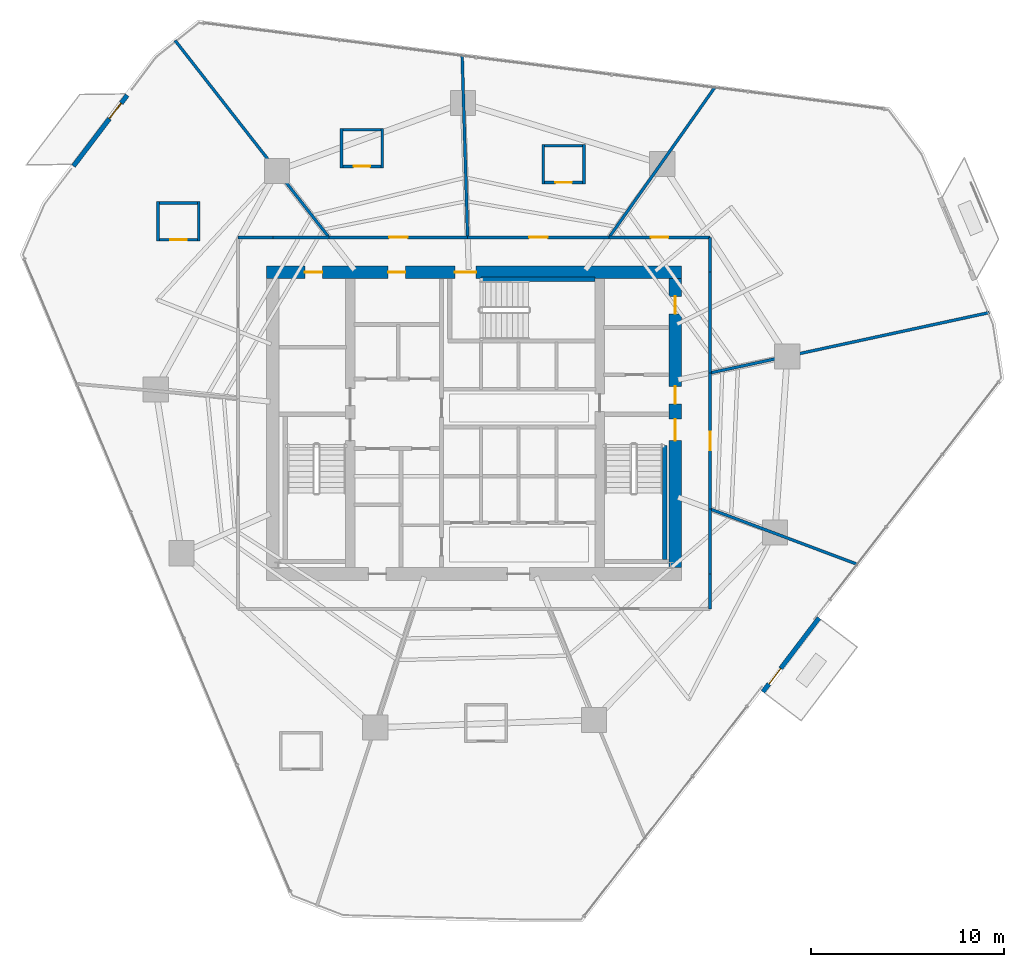
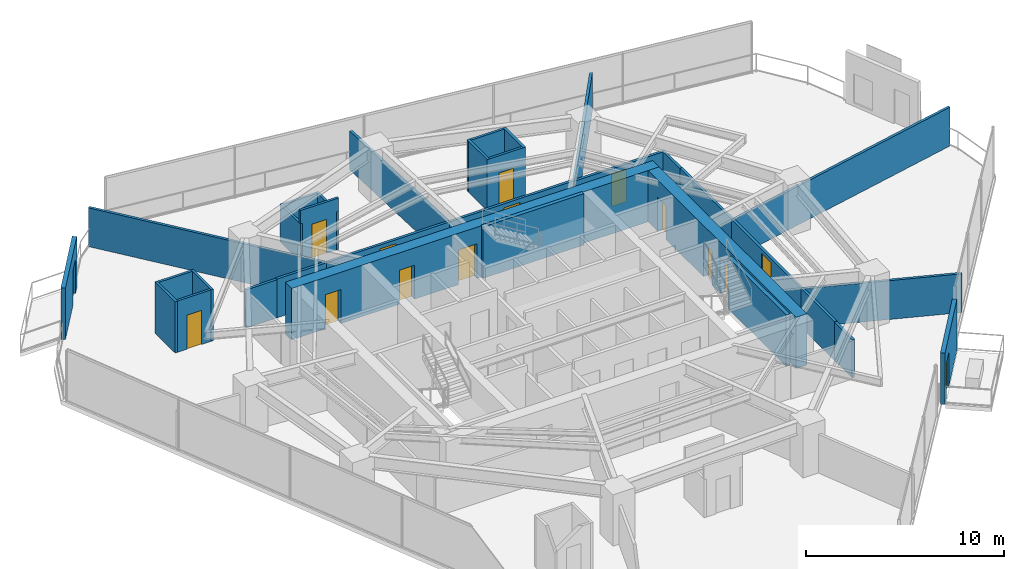
# One storey, part 27 of 30: 33 walls, 15 doors, 15 openings.
"""IFC4 building model written with IfcOpenShell, lengths in metres."""

from ifc_helpers import new_model, si_unit, direction, frame, frame_2d, origin, place, context, subcontext, project, spatial, rectangle, extrude, material, layer, layer_set, type_object, element, fill, save


model = new_model("IFC4")

# Units and contexts
model_context = context("Model", 3, precision=1e-05, world=origin(), true_north=direction((0.0, 1.0)))
body_context = subcontext(model_context, "Body", "Model", "MODEL_VIEW")
ifc_project = project(units=[si_unit("LENGTHUNIT", "METRE"), si_unit("AREAUNIT", "SQUARE_METRE"), si_unit("VOLUMEUNIT", "CUBIC_METRE"), si_unit("PLANEANGLEUNIT", "RADIAN"), si_unit("MASSUNIT", "GRAM", prefix="KILO")], contexts=[model_context])

# Site, building, storey
site_placement = place(None, origin())
site = spatial("IfcSite", under=ifc_project, at=site_placement, CompositionType="ELEMENT")
building_placement = place(site_placement, origin())
building = spatial("IfcBuilding", under=site, at=building_placement, Name="Qarnah Convention Tower", CompositionType="ELEMENT")
storey_placement = place(building_placement, frame((0.0, 0.0, 40.800048828125)))
storey = spatial("IfcBuildingStorey", under=building, at=storey_placement, Name="L09", CompositionType="ELEMENT", Elevation=40.800048828125)

# Wall, openings, doors
ifc_material_1 = material(Name="Concrete C60/75", Category="concrete")
ifc_layer_1 = layer(ifc_material_1, 0.64990234375)
ifc_layer_set_1 = layer_set([ifc_layer_1], Name="Concrete C60/75")
wall_type_1 = type_object("IfcWallType", Name="WL-CORE-650", PredefinedType="SHEAR", material=ifc_layer_set_1)
wall_1_placement = place(storey_placement, frame((26.47509765625, 34.199951171875, 0.0), z_axis=(0.0, 0.0, 1.0), x_axis=(1.0, 0.0, 0.0)))
wall_1 = element("IfcWall", 1, at=wall_1_placement, inside=storey, type_object=wall_type_1, Name="L09 core north shear wall", PredefinedType="SHEAR", context=body_context, shape_type="SweptSolid", body=[
    extrude(rectangle(XDim=21.449951171875, YDim=0.64990234375, at=frame_2d((10.72509765625, 0.0))), origin(), (0.0, 0.0, 1.0), 3.169921875),
])
opening_1_placement = place(wall_1_placement, frame((9.72509765625, 0.0, 0.0)))
opening_1 = element("IfcOpeningElement", 2, at=opening_1_placement, cuts=wall_1, Name="Opening D-0903", PredefinedType="OPENING", context=body_context, shape_type="SweptSolid", body=[
    extrude(rectangle(XDim=1.10009765625, YDim=2.14990234375, at=frame_2d((0.550048828125, 1.074951171875))), frame((0.0, 0.3349609375, 0.0), z_axis=(0.0, -1.0, 0.0), x_axis=(1.0, 0.0, 0.0)), (0.0, 0.0, 1.0), 0.669921875),
])
opening_2_placement = place(wall_1_placement, frame((1.97509765625, 0.0, 0.0)))
opening_2 = element("IfcOpeningElement", 3, at=opening_2_placement, cuts=wall_1, Name="Opening D-0909", PredefinedType="OPENING", context=body_context, shape_type="SweptSolid", body=[
    extrude(rectangle(XDim=0.89990234375, YDim=2.10009765625, at=frame_2d((0.449951171875, 1.050048828125))), frame((0.0, 0.3349609375, 0.0), z_axis=(0.0, -1.0, 0.0), x_axis=(1.0, 0.0, 0.0)), (0.0, 0.0, 1.0), 0.669921875),
])
opening_3_placement = place(wall_1_placement, frame((6.27490234375, 0.0, 0.0)))
opening_3 = element("IfcOpeningElement", 4, at=opening_3_placement, cuts=wall_1, Name="Opening D-0910", PredefinedType="OPENING", context=body_context, shape_type="SweptSolid", body=[
    extrude(rectangle(XDim=0.89990234375, YDim=2.10009765625, at=frame_2d((0.449951171875, 1.050048828125))), frame((0.0, 0.3349609375, 0.0), z_axis=(0.0, -1.0, 0.0), x_axis=(1.0, 0.0, 0.0)), (0.0, 0.0, 1.0), 0.669921875),
])
ifc_material_2 = material(Name="Structural steel S355JR", Category="steel")
door_type_1 = type_object("IfcDoorType", Name="DT-RISER-900", OperationType="NOTDEFINED", PredefinedType="DOOR", material=ifc_material_2)
door_1_placement = place(opening_2_placement, origin())
door_1 = element("IfcDoor", 5, at=door_1_placement, inside=storey, type_object=door_type_1, Name="Door D-0909", OperationType="SINGLE_SWING_LEFT", OverallHeight=2.10009765625, OverallWidth=0.89990234375, PredefinedType="DOOR", context=body_context, shape_type="SweptSolid", body=[
    extrude(rectangle(XDim=0.89990234375, YDim=2.10009765625, at=frame_2d((0.449951171875, 1.050048828125))), frame((0.0, 0.02490234375, 0.0), z_axis=(0.0, -1.0, 0.0), x_axis=(1.0, 0.0, 0.0)), (0.0, 0.0, 1.0), 0.050048828125),
])
fill(opening_2, door_1)
door_2_placement = place(opening_3_placement, origin())
door_2 = element("IfcDoor", 6, at=door_2_placement, inside=storey, type_object=door_type_1, Name="Door D-0910", OperationType="SINGLE_SWING_RIGHT", OverallHeight=2.10009765625, OverallWidth=0.89990234375, PredefinedType="DOOR", context=body_context, shape_type="SweptSolid", body=[
    extrude(rectangle(XDim=0.89990234375, YDim=2.10009765625, at=frame_2d((0.449951171875, 1.050048828125))), frame((0.0, 0.02490234375, 0.0), z_axis=(0.0, -1.0, 0.0), x_axis=(1.0, 0.0, 0.0)), (0.0, 0.0, 1.0), 0.050048828125),
])
fill(opening_3, door_2)
door_type_2 = type_object("IfcDoorType", Name="DT-STAIR-1100", OperationType="NOTDEFINED", PredefinedType="DOOR", material=ifc_material_2)
door_3_placement = place(opening_1_placement, origin())
door_3 = element("IfcDoor", 7, at=door_3_placement, inside=storey, type_object=door_type_2, Name="Door D-0903", OperationType="SINGLE_SWING_LEFT", OverallHeight=2.14990234375, OverallWidth=1.10009765625, PredefinedType="DOOR", context=body_context, shape_type="SweptSolid", body=[
    extrude(rectangle(XDim=1.10009765625, YDim=2.14990234375, at=frame_2d((0.550048828125, 1.074951171875))), frame((0.0, 0.02490234375, 0.0), z_axis=(0.0, -1.0, 0.0), x_axis=(1.0, 0.0, 0.0)), (0.0, 0.0, 1.0), 0.050048828125),
])
fill(opening_1, door_3)

wall_2_placement = place(storey_placement, frame((47.60009765625, 18.925048828125, 0.0), z_axis=(0.0, 0.0, 1.0), x_axis=(0.0, 1.0, 0.0)))
wall_2 = element("IfcWall", 8, at=wall_2_placement, inside=storey, type_object=wall_type_1, Name="L09 core east shear wall", PredefinedType="SHEAR", context=body_context, shape_type="SweptSolid", body=[
    extrude(rectangle(XDim=14.949951171875, YDim=0.64990234375, at=frame_2d((7.47509765625, 0.0))), origin(), (0.0, 0.0, 1.0), 3.169921875),
])
opening_4_placement = place(wall_2_placement, frame((6.574951171875, 0.0, 0.0)))
opening_4 = element("IfcOpeningElement", 9, at=opening_4_placement, cuts=wall_2, Name="Opening D-0902", PredefinedType="OPENING", context=body_context, shape_type="SweptSolid", body=[
    extrude(rectangle(XDim=1.10009765625, YDim=2.14990234375, at=frame_2d((0.550048828125, 1.074951171875))), frame((0.0, 0.3349609375, 0.0), z_axis=(0.0, -1.0, 0.0), x_axis=(1.0, 0.0, 0.0)), (0.0, 0.0, 1.0), 0.669921875),
])
opening_5_placement = place(wall_2_placement, frame((8.47509765625, 0.0, 0.0)))
opening_5 = element("IfcOpeningElement", 10, at=opening_5_placement, cuts=wall_2, Name="Opening D-0906", PredefinedType="OPENING", context=body_context, shape_type="SweptSolid", body=[
    extrude(rectangle(XDim=0.89990234375, YDim=2.10009765625, at=frame_2d((0.449951171875, 1.050048828125))), frame((0.0, 0.3349609375, 0.0), z_axis=(0.0, -1.0, 0.0), x_axis=(1.0, 0.0, 0.0)), (0.0, 0.0, 1.0), 0.669921875),
])
opening_6_placement = place(wall_2_placement, frame((13.125, 0.0, 0.0)))
opening_6 = element("IfcOpeningElement", 11, at=opening_6_placement, cuts=wall_2, Name="Opening D-0912", PredefinedType="OPENING", context=body_context, shape_type="SweptSolid", body=[
    extrude(rectangle(XDim=0.89990234375, YDim=2.10009765625, at=frame_2d((0.449951171875, 1.050048828125))), frame((0.0, 0.3349609375, 0.0), z_axis=(0.0, -1.0, 0.0), x_axis=(1.0, 0.0, 0.0)), (0.0, 0.0, 1.0), 0.669921875),
])
door_4_placement = place(opening_5_placement, origin())
door_4 = element("IfcDoor", 12, at=door_4_placement, inside=storey, type_object=door_type_1, Name="Door D-0906", OperationType="SINGLE_SWING_RIGHT", OverallHeight=2.10009765625, OverallWidth=0.89990234375, PredefinedType="DOOR", context=body_context, shape_type="SweptSolid", body=[
    extrude(rectangle(XDim=0.89990234375, YDim=2.10009765625, at=frame_2d((0.449951171875, 1.050048828125))), frame((0.0, 0.02490234375, 0.0), z_axis=(0.0, -1.0, 0.0), x_axis=(1.0, 0.0, 0.0)), (0.0, 0.0, 1.0), 0.050048828125),
])
fill(opening_5, door_4)
door_5_placement = place(opening_6_placement, origin())
door_5 = element("IfcDoor", 13, at=door_5_placement, inside=storey, type_object=door_type_1, Name="Door D-0912", OperationType="SINGLE_SWING_RIGHT", OverallHeight=2.10009765625, OverallWidth=0.89990234375, PredefinedType="DOOR", context=body_context, shape_type="SweptSolid", body=[
    extrude(rectangle(XDim=0.89990234375, YDim=2.10009765625, at=frame_2d((0.449951171875, 1.050048828125))), frame((0.0, 0.02490234375, 0.0), z_axis=(0.0, -1.0, 0.0), x_axis=(1.0, 0.0, 0.0)), (0.0, 0.0, 1.0), 0.050048828125),
])
fill(opening_6, door_5)
door_6_placement = place(opening_4_placement, origin())
door_6 = element("IfcDoor", 14, at=door_6_placement, inside=storey, type_object=door_type_2, Name="Door D-0902", OperationType="SINGLE_SWING_RIGHT", OverallHeight=2.14990234375, OverallWidth=1.10009765625, PredefinedType="DOOR", context=body_context, shape_type="SweptSolid", body=[
    extrude(rectangle(XDim=1.10009765625, YDim=2.14990234375, at=frame_2d((0.550048828125, 1.074951171875))), frame((0.0, 0.02490234375, 0.0), z_axis=(0.0, -1.0, 0.0), x_axis=(1.0, 0.0, 0.0)), (0.0, 0.0, 1.0), 0.050048828125),
])
fill(opening_4, door_6)

# Walls
ifc_layer_2 = layer(ifc_material_1, 0.219970703125)
ifc_layer_set_2 = layer_set([ifc_layer_2], Name="Concrete C60/75")
wall_type_2 = type_object("IfcWallType", Name="WL-CORE-STAIR-220", PredefinedType="SHEAR", material=ifc_layer_set_2)
for number, where, z_axis, x_axis, name in (
    (15, (47.06005859375, 19.35009765625, 0.0), (0.0, 0.0, 1.0), (0.0, 1.0, 0.0), "L09 stair shaft shear wall SW-L09-ST2E"),
    (16, (37.550048828125, 33.840087890625, 0.0), (0.0, 0.0, 1.0), (1.0, 0.0, 0.0), "L09 stair shaft shear wall SW-L09-ST3N"),
):
    element("IfcWall", number, at=place(storey_placement, frame(where, z_axis=z_axis, x_axis=x_axis)), inside=storey, type_object=wall_type_2, Name=name, PredefinedType="SHEAR", context=body_context, shape_type="SweptSolid", body=[
        extrude(rectangle(XDim=5.89990234375, YDim=0.219970703125, at=frame_2d((2.949951171875, 0.0))), origin(), (0.0, 0.0, 1.0), 3.169921875),
    ])

# Wall, opening, door
ifc_material_3 = material(Name="Precast concrete C45/55", Category="concrete")
ifc_layer_3 = layer(ifc_material_3, 0.239990234375)
ifc_layer_set_3 = layer_set([ifc_layer_3], Name="Precast concrete C45/55")
wall_type_3 = type_object("IfcWallType", Name="WL-EXT-BAL-240", PredefinedType="SOLIDWALL", material=ifc_layer_set_3)
wall_3_placement = place(storey_placement, frame((16.486083984375, 39.68603515625, 0.0), z_axis=(0.0, 0.0, 1.0), x_axis=(0.604575811397, 0.79654760578, 0.0)))
wall_3 = element("IfcWall", 17, at=wall_3_placement, inside=storey, type_object=wall_type_3, Name="L09 loggia threshold wall BAL-L09-C2", PredefinedType="SOLIDWALL", context=body_context, shape_type="SweptSolid", body=[
    extrude(rectangle(XDim=4.599853515625, YDim=0.239990234375, at=frame_2d((2.2998046875, 0.0))), origin(), (0.0, 0.0, 1.0), 3.169921875),
])
opening_7_placement = place(wall_3_placement, frame((3.080078125, 0.0, 0.0)))
opening_7 = element("IfcOpeningElement", 18, at=opening_7_placement, cuts=wall_3, Name="Opening BD-0902", PredefinedType="OPENING", context=body_context, shape_type="SweptSolid", body=[
    extrude(rectangle(XDim=1.0, YDim=2.14990234375, at=frame_2d((0.5, 1.074951171875))), frame((0.0, 0.1298828125, 0.0), z_axis=(0.0, -1.0, 0.0), x_axis=(1.0, 0.0, 0.0)), (0.0, 0.0, 1.0), 0.260009765625),
])
ifc_material_4 = material(Name="Black anodised aluminium", Category="aluminium")
door_type_3 = type_object("IfcDoorType", Name="DT-BAL-1000", OperationType="NOTDEFINED", PredefinedType="DOOR", material=ifc_material_4)
door_7_placement = place(opening_7_placement, origin())
door_7 = element("IfcDoor", 19, at=door_7_placement, inside=storey, type_object=door_type_3, Name="L09 balcony terrace door BAL-L09-C2", OperationType="SINGLE_SWING_RIGHT", OverallHeight=2.14990234375, OverallWidth=1.0, PredefinedType="DOOR", context=body_context, shape_type="SweptSolid", body=[
    extrude(rectangle(XDim=1.0, YDim=2.14990234375, at=frame_2d((0.5, 1.074951171875))), frame((0.0, 0.02490234375, 0.0), z_axis=(0.0, -1.0, 0.0), x_axis=(1.0, 0.0, 0.0)), (0.0, 0.0, 1.0), 0.050048828125),
])
fill(opening_7, door_7)

wall_4_placement = place(storey_placement, frame((55.033935546875, 16.326904296875, 0.0), z_axis=(0.0, 0.0, 1.0), x_axis=(-0.604733735357, -0.796427717574, 0.0)))
wall_4 = element("IfcWall", 20, at=wall_4_placement, inside=storey, type_object=wall_type_3, Name="L09 loggia threshold wall VN-L09", PredefinedType="SOLIDWALL", context=body_context, shape_type="SweptSolid", body=[
    extrude(rectangle(XDim=4.80029296875, YDim=0.239990234375, at=frame_2d((2.400146484375, 0.0))), origin(), (0.0, 0.0, 1.0), 3.169921875),
])
opening_8_placement = place(wall_4_placement, frame((3.280029296875, 0.0, 0.0)))
opening_8 = element("IfcOpeningElement", 21, at=opening_8_placement, cuts=wall_4, Name="Opening BD-0903", PredefinedType="OPENING", context=body_context, shape_type="SweptSolid", body=[
    extrude(rectangle(XDim=1.0, YDim=2.14990234375, at=frame_2d((0.5, 1.074951171875))), frame((0.0, 0.1298828125, 0.0), z_axis=(0.0, -1.0, 0.0), x_axis=(1.0, 0.0, 0.0)), (0.0, 0.0, 1.0), 0.260009765625),
])
door_8_placement = place(opening_8_placement, origin())
door_8 = element("IfcDoor", 22, at=door_8_placement, inside=storey, type_object=door_type_3, Name="L09 balcony terrace door VN-L09", OperationType="SINGLE_SWING_LEFT", OverallHeight=2.14990234375, OverallWidth=1.0, PredefinedType="DOOR", context=body_context, shape_type="SweptSolid", body=[
    extrude(rectangle(XDim=1.0, YDim=2.14990234375, at=frame_2d((0.5, 1.074951171875))), frame((0.0, 0.02490234375, 0.0), z_axis=(0.0, -1.0, 0.0), x_axis=(1.0, 0.0, 0.0)), (0.0, 0.0, 1.0), 0.050048828125),
])
fill(opening_8, door_8)

# Wall
ifc_material_5 = material(Name="Gypsum partition board")
ifc_layer_4 = layer(ifc_material_5, 0.14990234375)
ifc_layer_set_4 = layer_set([ifc_layer_4], Name="Gypsum partition board")
wall_type_4 = type_object("IfcWallType", Name="WL-SUITE-150", PredefinedType="PARTITIONING", material=ifc_layer_set_4)
wall_5_placement = place(storey_placement, frame((49.66796875, 43.7900390625, 0.0), z_axis=(0.0, 0.0, 1.0), x_axis=(-0.576267813241, -0.817260917592, 0.0)))
element("IfcWall", 23, at=wall_5_placement, inside=storey, type_object=wall_type_4, Name="L09 interior wall IW-L09-R-21", PredefinedType="PARTITIONING", context=body_context, shape_type="SweptSolid", body=[
    extrude(rectangle(XDim=9.531982421875, YDim=0.14990234375, at=frame_2d((4.76611328125, 0.0))), origin(), (0.0, 0.0, 1.0), 2.39501953125),
])

# Wall, opening, door
wall_6_placement = place(storey_placement, frame((44.175048828125, 36.0, 0.0), z_axis=(0.0, 0.0, 1.0), x_axis=(1.0, 0.0, 0.0)))
wall_6 = element("IfcWall", 24, at=wall_6_placement, inside=storey, type_object=wall_type_4, Name="L09 interior wall IW-L09-R-22", PredefinedType="PARTITIONING", context=body_context, shape_type="SweptSolid", body=[
    extrude(rectangle(XDim=5.224853515625, YDim=0.14990234375, at=frame_2d((2.6123046875, 0.0))), origin(), (0.0, 0.0, 1.0), 2.35498046875),
])
opening_9_placement = place(wall_6_placement, frame((2.1630859375, 0.0, 0.0)))
opening_9 = element("IfcOpeningElement", 25, at=opening_9_placement, cuts=wall_6, Name="Opening D-0916", PredefinedType="OPENING", context=body_context, shape_type="SweptSolid", body=[
    extrude(rectangle(XDim=0.89990234375, YDim=2.0, at=frame_2d((0.449951171875, 1.0))), frame((0.0, 0.0849609375, 0.0), z_axis=(0.0, -1.0, 0.0), x_axis=(1.0, 0.0, 0.0)), (0.0, 0.0, 1.0), 0.169921875),
])
door_type_4 = type_object("IfcDoorType", Name="DT-PLANT-900", OperationType="NOTDEFINED", PredefinedType="DOOR", material=ifc_material_2)
door_9_placement = place(opening_9_placement, origin())
door_9 = element("IfcDoor", 26, at=door_9_placement, inside=storey, type_object=door_type_4, Name="Door D-0916", OperationType="SINGLE_SWING_RIGHT", OverallHeight=2.0, OverallWidth=0.89990234375, PredefinedType="DOOR", context=body_context, shape_type="SweptSolid", body=[
    extrude(rectangle(XDim=0.89990234375, YDim=2.0, at=frame_2d((0.449951171875, 1.0))), frame((0.0, 0.02490234375, 0.0), z_axis=(0.0, -1.0, 0.0), x_axis=(1.0, 0.0, 0.0)), (0.0, 0.0, 1.0), 0.050048828125),
])
fill(opening_9, door_9)

# Walls
wall_7_placement = place(storey_placement, frame((49.39990234375, 36.0, 0.0), z_axis=(0.0, 0.0, 1.0), x_axis=(0.0, -1.0, 0.0)))
element("IfcWall", 27, at=wall_7_placement, inside=storey, type_object=wall_type_4, Name="L09 interior wall IW-L09-R-23", PredefinedType="PARTITIONING", context=body_context, shape_type="SweptSolid", body=[
    extrude(rectangle(XDim=1.800048828125, YDim=0.14990234375, at=frame_2d((0.89990234375, 0.0))), origin(), (0.0, 0.0, 1.0), 2.35498046875),
])
wall_8_placement = place(storey_placement, frame((49.39990234375, 34.199951171875, 0.0), z_axis=(0.0, 0.0, 1.0), x_axis=(0.0, -1.0, 0.0)))
element("IfcWall", 28, at=wall_8_placement, inside=storey, type_object=wall_type_4, Name="L09 interior wall IW-L09-R-24", PredefinedType="PARTITIONING", context=body_context, shape_type="SweptSolid", body=[
    extrude(rectangle(XDim=5.20703125, YDim=0.14990234375, at=frame_2d((2.603515625, 0.0))), origin(), (0.0, 0.0, 1.0), 2.39501953125),
])
wall_9_placement = place(storey_placement, frame((49.39990234375, 28.992919921875, 0.0), z_axis=(0.0, 0.0, 1.0), x_axis=(0.977402348029, 0.211387440656, 0.0)))
element("IfcWall", 29, at=wall_9_placement, inside=storey, type_object=wall_type_4, Name="L09 interior wall IW-L09-R-25", PredefinedType="PARTITIONING", context=body_context, shape_type="SweptSolid", body=[
    extrude(rectangle(XDim=14.764892578125, YDim=0.14990234375, at=frame_2d((7.38232421875, 0.0))), origin(), (0.0, 0.0, 1.0), 2.39501953125),
])
wall_10_placement = place(storey_placement, frame((36.580078125, 45.43408203125, 0.0), z_axis=(0.0, 0.0, 1.0), x_axis=(0.03018653739, -0.999544282641, 0.0)))
element("IfcWall", 30, at=wall_10_placement, inside=storey, type_object=wall_type_4, Name="L09 interior wall IW-L09-R-26", PredefinedType="PARTITIONING", context=body_context, shape_type="SweptSolid", body=[
    extrude(rectangle(XDim=9.4384765625, YDim=0.14990234375, at=frame_2d((4.71923828125, 0.0))), origin(), (0.0, 0.0, 1.0), 2.39501953125),
])

# Wall, opening, door
wall_11_placement = place(storey_placement, frame((36.864990234375, 36.0, 0.0), z_axis=(0.0, 0.0, 1.0), x_axis=(1.0, 0.0, 0.0)))
wall_11 = element("IfcWall", 31, at=wall_11_placement, inside=storey, type_object=wall_type_4, Name="L09 interior wall IW-L09-R-27", PredefinedType="PARTITIONING", context=body_context, shape_type="SweptSolid", body=[
    extrude(rectangle(XDim=7.31005859375, YDim=0.14990234375, at=frame_2d((3.655029296875, 0.0))), origin(), (0.0, 0.0, 1.0), 2.39501953125),
])
opening_10_placement = place(wall_11_placement, frame((3.179931640625, 0.0, 0.0)))
opening_10 = element("IfcOpeningElement", 32, at=opening_10_placement, cuts=wall_11, Name="Opening D-0917", PredefinedType="OPENING", context=body_context, shape_type="SweptSolid", body=[
    extrude(rectangle(XDim=0.949951171875, YDim=2.14990234375, at=frame_2d((0.47509765625, 1.074951171875))), frame((0.0, 0.0849609375, 0.0), z_axis=(0.0, -1.0, 0.0), x_axis=(1.0, 0.0, 0.0)), (0.0, 0.0, 1.0), 0.169921875),
])
ifc_material_6 = material(Name="Oak timber veneer", Category="wood")
door_type_5 = type_object("IfcDoorType", Name="DT-HOTEL-950", OperationType="NOTDEFINED", PredefinedType="DOOR", material=ifc_material_6)
door_10_placement = place(opening_10_placement, origin())
door_10 = element("IfcDoor", 33, at=door_10_placement, inside=storey, type_object=door_type_5, Name="Door D-0917", OperationType="SINGLE_SWING_LEFT", OverallHeight=2.14990234375, OverallWidth=0.949951171875, PredefinedType="DOOR", context=body_context, shape_type="SweptSolid", body=[
    extrude(rectangle(XDim=0.949951171875, YDim=2.14990234375, at=frame_2d((0.47509765625, 1.074951171875))), frame((0.0, 0.02490234375, 0.0), z_axis=(0.0, -1.0, 0.0), x_axis=(1.0, 0.0, 0.0)), (0.0, 0.0, 1.0), 0.050048828125),
])
fill(opening_10, door_10)

# Wall
wall_12_placement = place(storey_placement, frame((21.739990234375, 46.181884765625, 0.0), z_axis=(0.0, 0.0, 1.0), x_axis=(0.615901715435, -0.787822998474, 0.0)))
element("IfcWall", 34, at=wall_12_placement, inside=storey, type_object=wall_type_4, Name="L09 interior wall IW-L09-R-28", PredefinedType="PARTITIONING", context=body_context, shape_type="SweptSolid", body=[
    extrude(rectangle(XDim=12.924072265625, YDim=0.14990234375, at=frame_2d((6.4619140625, 0.0))), origin(), (0.0, 0.0, 1.0), 2.39501953125),
])

# Wall, opening, door
wall_13_placement = place(storey_placement, frame((29.699951171875, 36.0, 0.0), z_axis=(0.0, 0.0, 1.0), x_axis=(1.0, 0.0, 0.0)))
wall_13 = element("IfcWall", 35, at=wall_13_placement, inside=storey, type_object=wall_type_4, Name="L09 interior wall IW-L09-R-29", PredefinedType="PARTITIONING", context=body_context, shape_type="SweptSolid", body=[
    extrude(rectangle(XDim=7.1650390625, YDim=0.14990234375, at=frame_2d((3.58251953125, 0.0))), origin(), (0.0, 0.0, 1.0), 2.39501953125),
])
opening_11_placement = place(wall_13_placement, frame((3.10791015625, 0.0, 0.0)))
opening_11 = element("IfcOpeningElement", 36, at=opening_11_placement, cuts=wall_13, Name="Opening D-0919", PredefinedType="OPENING", context=body_context, shape_type="SweptSolid", body=[
    extrude(rectangle(XDim=0.949951171875, YDim=2.14990234375, at=frame_2d((0.47509765625, 1.074951171875))), frame((0.0, 0.0849609375, 0.0), z_axis=(0.0, -1.0, 0.0), x_axis=(1.0, 0.0, 0.0)), (0.0, 0.0, 1.0), 0.169921875),
])
door_11_placement = place(opening_11_placement, origin())
door_11 = element("IfcDoor", 37, at=door_11_placement, inside=storey, type_object=door_type_5, Name="Door D-0919", OperationType="SINGLE_SWING_LEFT", OverallHeight=2.14990234375, OverallWidth=0.949951171875, PredefinedType="DOOR", context=body_context, shape_type="SweptSolid", body=[
    extrude(rectangle(XDim=0.949951171875, YDim=2.14990234375, at=frame_2d((0.47509765625, 1.074951171875))), frame((0.0, 0.02490234375, 0.0), z_axis=(0.0, -1.0, 0.0), x_axis=(1.0, 0.0, 0.0)), (0.0, 0.0, 1.0), 0.050048828125),
])
fill(opening_11, door_11)

# Walls
wall_14_placement = place(storey_placement, frame((25.0, 36.0, 0.0), z_axis=(0.0, 0.0, 1.0), x_axis=(1.0, 0.0, 0.0)))
element("IfcWall", 38, at=wall_14_placement, inside=storey, type_object=wall_type_4, Name="L09 interior wall IW-L09-R-32", PredefinedType="PARTITIONING", context=body_context, shape_type="SweptSolid", body=[
    extrude(rectangle(XDim=1.800048828125, YDim=0.14990234375, at=frame_2d((0.89990234375, 0.0))), origin(), (0.0, 0.0, 1.0), 2.35498046875),
])
wall_15_placement = place(storey_placement, frame((26.800048828125, 36.0, 0.0), z_axis=(0.0, 0.0, 1.0), x_axis=(1.0, 0.0, 0.0)))
element("IfcWall", 39, at=wall_15_placement, inside=storey, type_object=wall_type_4, Name="L09 interior wall IW-L09-R-33", PredefinedType="PARTITIONING", context=body_context, shape_type="SweptSolid", body=[
    extrude(rectangle(XDim=2.89990234375, YDim=0.14990234375, at=frame_2d((1.449951171875, 0.0))), origin(), (0.0, 0.0, 1.0), 2.39501953125),
])
wall_16_placement = place(storey_placement, frame((57.0439453125, 19.0869140625, 0.0), z_axis=(0.0, 0.0, 1.0), x_axis=(-0.936065987827, 0.351824482426, 0.0)))
element("IfcWall", 40, at=wall_16_placement, inside=storey, type_object=wall_type_4, Name="L09 interior wall IW-L09-R-40", PredefinedType="PARTITIONING", context=body_context, shape_type="SweptSolid", body=[
    extrude(rectangle(XDim=8.166015625, YDim=0.14990234375, at=frame_2d((4.0830078125, 0.0))), origin(), (0.0, 0.0, 1.0), 2.39501953125),
])
wall_17_placement = place(storey_placement, frame((49.39990234375, 21.9599609375, 0.0), z_axis=(0.0, 0.0, 1.0), x_axis=(0.0, -1.0, 0.0)))
element("IfcWall", 41, at=wall_17_placement, inside=storey, type_object=wall_type_4, Name="L09 interior wall IW-L09-R-41", PredefinedType="PARTITIONING", context=body_context, shape_type="SweptSolid", body=[
    extrude(rectangle(XDim=3.35986328125, YDim=0.14990234375, at=frame_2d((1.679931640625, 0.0))), origin(), (0.0, 0.0, 1.0), 2.39501953125),
])
wall_18_placement = place(storey_placement, frame((49.39990234375, 18.60009765625, 0.0), z_axis=(0.0, 0.0, 1.0), x_axis=(0.0, -1.0, 0.0)))
element("IfcWall", 42, at=wall_18_placement, inside=storey, type_object=wall_type_4, Name="L09 interior wall IW-L09-R-42", PredefinedType="PARTITIONING", context=body_context, shape_type="SweptSolid", body=[
    extrude(rectangle(XDim=1.800048828125, YDim=0.14990234375, at=frame_2d((0.89990234375, 0.0))), origin(), (0.0, 0.0, 1.0), 2.35498046875),
])

# Wall, opening, door
wall_19_placement = place(storey_placement, frame((49.39990234375, 28.992919921875, 0.0), z_axis=(0.0, 0.0, 1.0), x_axis=(0.0, -1.0, 0.0)))
wall_19 = element("IfcWall", 43, at=wall_19_placement, inside=storey, type_object=wall_type_4, Name="L09 interior wall IW-L09-R-44", PredefinedType="PARTITIONING", context=body_context, shape_type="SweptSolid", body=[
    extrude(rectangle(XDim=7.032958984375, YDim=0.14990234375, at=frame_2d((3.5166015625, 0.0))), origin(), (0.0, 0.0, 1.0), 2.39501953125),
])
opening_12_placement = place(wall_19_placement, frame((3.041015625, 0.0, 0.0)))
opening_12 = element("IfcOpeningElement", 44, at=opening_12_placement, cuts=wall_19, Name="Opening D-0928", PredefinedType="OPENING", context=body_context, shape_type="SweptSolid", body=[
    extrude(rectangle(XDim=0.949951171875, YDim=2.14990234375, at=frame_2d((0.47509765625, 1.074951171875))), frame((0.0, 0.0849609375, 0.0), z_axis=(0.0, -1.0, 0.0), x_axis=(1.0, 0.0, 0.0)), (0.0, 0.0, 1.0), 0.169921875),
])
door_12_placement = place(opening_12_placement, origin())
door_12 = element("IfcDoor", 45, at=door_12_placement, inside=storey, type_object=door_type_5, Name="Door D-0928", OperationType="SINGLE_SWING_RIGHT", OverallHeight=2.14990234375, OverallWidth=0.949951171875, PredefinedType="DOOR", context=body_context, shape_type="SweptSolid", body=[
    extrude(rectangle(XDim=0.949951171875, YDim=2.14990234375, at=frame_2d((0.47509765625, 1.074951171875))), frame((0.0, 0.02490234375, 0.0), z_axis=(0.0, -1.0, 0.0), x_axis=(1.0, 0.0, 0.0)), (0.0, 0.0, 1.0), 0.050048828125),
])
fill(opening_12, door_12)

ifc_layer_5 = layer(ifc_material_5, 0.139892578125)
ifc_layer_set_5 = layer_set([ifc_layer_5], Name="Gypsum partition board")
wall_type_5 = type_object("IfcWallType", Name="WL-WET-140", PredefinedType="PARTITIONING", material=ifc_layer_set_5)
wall_20_placement = place(storey_placement, frame((40.7099609375, 38.837890625, 0.0), z_axis=(0.0, 0.0, 1.0), x_axis=(1.0, 0.0, 0.0)))
wall_20 = element("IfcWall", 46, at=wall_20_placement, inside=storey, type_object=wall_type_5, Name="L09 interior wall IW-L09-ENS01-1", PredefinedType="PARTITIONING", context=body_context, shape_type="SweptSolid", body=[
    extrude(rectangle(XDim=2.239990234375, YDim=0.139892578125, at=frame_2d((1.1201171875, 0.0))), origin(), (0.0, 0.0, 1.0), 3.169921875),
])
opening_13_placement = place(wall_20_placement, frame((0.695068359375, 0.0, 0.0)))
opening_13 = element("IfcOpeningElement", 47, at=opening_13_placement, cuts=wall_20, Name="Opening D-0918", PredefinedType="OPENING", context=body_context, shape_type="SweptSolid", body=[
    extrude(rectangle(XDim=0.85009765625, YDim=2.10009765625, at=frame_2d((0.425048828125, 1.050048828125))), frame((0.0, 0.079833984375, 0.0), z_axis=(0.0, -1.0, 0.0), x_axis=(1.0, 0.0, 0.0)), (0.0, 0.0, 1.0), 0.159912109375),
])
door_type_6 = type_object("IfcDoorType", Name="DT-BATH-850", OperationType="NOTDEFINED", PredefinedType="DOOR", material=ifc_material_6)
door_13_placement = place(opening_13_placement, origin())
door_13 = element("IfcDoor", 48, at=door_13_placement, inside=storey, type_object=door_type_6, Name="Door D-0918", OperationType="SINGLE_SWING_RIGHT", OverallHeight=2.10009765625, OverallWidth=0.85009765625, PredefinedType="DOOR", context=body_context, shape_type="SweptSolid", body=[
    extrude(rectangle(XDim=0.85009765625, YDim=2.10009765625, at=frame_2d((0.425048828125, 1.050048828125))), frame((0.0, 0.02490234375, 0.0), z_axis=(0.0, -1.0, 0.0), x_axis=(1.0, 0.0, 0.0)), (0.0, 0.0, 1.0), 0.050048828125),
])
fill(opening_13, door_13)

# Walls
wall_21_placement = place(storey_placement, frame((42.8798828125, 38.76806640625, 0.0), z_axis=(0.0, 0.0, 1.0), x_axis=(0.0, 1.0, 0.0)))
element("IfcWall", 49, at=wall_21_placement, inside=storey, type_object=wall_type_5, Name="L09 interior wall IW-L09-ENS01-2", PredefinedType="PARTITIONING", context=body_context, shape_type="SweptSolid", body=[
    extrude(rectangle(XDim=2.0400390625, YDim=0.139892578125, at=frame_2d((1.02001953125, 0.0))), origin(), (0.0, 0.0, 1.0), 3.169921875),
])
wall_22_placement = place(storey_placement, frame((42.949951171875, 40.738037109375, 0.0), z_axis=(0.0, 0.0, 1.0), x_axis=(-1.0, 0.0, 0.0)))
element("IfcWall", 50, at=wall_22_placement, inside=storey, type_object=wall_type_5, Name="L09 interior wall IW-L09-ENS01-3", PredefinedType="PARTITIONING", context=body_context, shape_type="SweptSolid", body=[
    extrude(rectangle(XDim=2.239990234375, YDim=0.139892578125, at=frame_2d((1.1201171875, 0.0))), origin(), (0.0, 0.0, 1.0), 3.169921875),
])
wall_23_placement = place(storey_placement, frame((40.780029296875, 40.80810546875, 0.0), z_axis=(0.0, 0.0, 1.0), x_axis=(0.0, -1.0, 0.0)))
element("IfcWall", 51, at=wall_23_placement, inside=storey, type_object=wall_type_5, Name="L09 interior wall IW-L09-ENS01-4", PredefinedType="PARTITIONING", context=body_context, shape_type="SweptSolid", body=[
    extrude(rectangle(XDim=2.0400390625, YDim=0.139892578125, at=frame_2d((1.02001953125, 0.0))), origin(), (0.0, 0.0, 1.0), 3.169921875),
])

# Wall, opening, door
wall_24_placement = place(storey_placement, frame((30.277099609375, 39.66796875, 0.0), z_axis=(0.0, 0.0, 1.0), x_axis=(1.0, 0.0, 0.0)))
wall_24 = element("IfcWall", 52, at=wall_24_placement, inside=storey, type_object=wall_type_5, Name="L09 interior wall IW-L09-ENS02-1", PredefinedType="PARTITIONING", context=body_context, shape_type="SweptSolid", body=[
    extrude(rectangle(XDim=2.239990234375, YDim=0.139892578125, at=frame_2d((1.1201171875, 0.0))), origin(), (0.0, 0.0, 1.0), 3.169921875),
])
opening_14_placement = place(wall_24_placement, frame((0.695068359375, 0.0, 0.0)))
opening_14 = element("IfcOpeningElement", 53, at=opening_14_placement, cuts=wall_24, Name="Opening D-0920", PredefinedType="OPENING", context=body_context, shape_type="SweptSolid", body=[
    extrude(rectangle(XDim=0.85009765625, YDim=2.10009765625, at=frame_2d((0.425048828125, 1.050048828125))), frame((0.0, 0.079833984375, 0.0), z_axis=(0.0, -1.0, 0.0), x_axis=(1.0, 0.0, 0.0)), (0.0, 0.0, 1.0), 0.159912109375),
])
door_14_placement = place(opening_14_placement, origin())
door_14 = element("IfcDoor", 54, at=door_14_placement, inside=storey, type_object=door_type_6, Name="Door D-0920", OperationType="SINGLE_SWING_RIGHT", OverallHeight=2.10009765625, OverallWidth=0.85009765625, PredefinedType="DOOR", context=body_context, shape_type="SweptSolid", body=[
    extrude(rectangle(XDim=0.85009765625, YDim=2.10009765625, at=frame_2d((0.425048828125, 1.050048828125))), frame((0.0, 0.02490234375, 0.0), z_axis=(0.0, -1.0, 0.0), x_axis=(1.0, 0.0, 0.0)), (0.0, 0.0, 1.0), 0.050048828125),
])
fill(opening_14, door_14)

# Walls
wall_25_placement = place(storey_placement, frame((32.447021484375, 39.597900390625, 0.0), z_axis=(0.0, 0.0, 1.0), x_axis=(0.0, 1.0, 0.0)))
element("IfcWall", 55, at=wall_25_placement, inside=storey, type_object=wall_type_5, Name="L09 interior wall IW-L09-ENS02-2", PredefinedType="PARTITIONING", context=body_context, shape_type="SweptSolid", body=[
    extrude(rectangle(XDim=2.0400390625, YDim=0.139892578125, at=frame_2d((1.02001953125, 0.0))), origin(), (0.0, 0.0, 1.0), 2.35498046875),
])
wall_26_placement = place(storey_placement, frame((32.51708984375, 41.568115234375, 0.0), z_axis=(0.0, 0.0, 1.0), x_axis=(-1.0, 0.0, 0.0)))
element("IfcWall", 56, at=wall_26_placement, inside=storey, type_object=wall_type_5, Name="L09 interior wall IW-L09-ENS02-3", PredefinedType="PARTITIONING", context=body_context, shape_type="SweptSolid", body=[
    extrude(rectangle(XDim=2.239990234375, YDim=0.139892578125, at=frame_2d((1.1201171875, 0.0))), origin(), (0.0, 0.0, 1.0), 2.35498046875),
])
wall_27_placement = place(storey_placement, frame((30.346923828125, 41.637939453125, 0.0), z_axis=(0.0, 0.0, 1.0), x_axis=(0.0, -1.0, 0.0)))
element("IfcWall", 57, at=wall_27_placement, inside=storey, type_object=wall_type_5, Name="L09 interior wall IW-L09-ENS02-4", PredefinedType="PARTITIONING", context=body_context, shape_type="SweptSolid", body=[
    extrude(rectangle(XDim=2.0400390625, YDim=0.139892578125, at=frame_2d((1.02001953125, 0.0))), origin(), (0.0, 0.0, 1.0), 2.35498046875),
])

# Wall, opening, door
wall_28_placement = place(storey_placement, frame((20.7880859375, 35.8740234375, 0.0), z_axis=(0.0, 0.0, 1.0), x_axis=(1.0, 0.0, 0.0)))
wall_28 = element("IfcWall", 58, at=wall_28_placement, inside=storey, type_object=wall_type_5, Name="L09 interior wall IW-L09-ENS03-1", PredefinedType="PARTITIONING", context=body_context, shape_type="SweptSolid", body=[
    extrude(rectangle(XDim=2.239990234375, YDim=0.139892578125, at=frame_2d((1.1201171875, 0.0))), origin(), (0.0, 0.0, 1.0), 3.169921875),
])
opening_15_placement = place(wall_28_placement, frame((0.695068359375, 0.0, 0.0)))
opening_15 = element("IfcOpeningElement", 59, at=opening_15_placement, cuts=wall_28, Name="Opening D-0922", PredefinedType="OPENING", context=body_context, shape_type="SweptSolid", body=[
    extrude(rectangle(XDim=0.85009765625, YDim=2.10009765625, at=frame_2d((0.425048828125, 1.050048828125))), frame((0.0, 0.079833984375, 0.0), z_axis=(0.0, -1.0, 0.0), x_axis=(1.0, 0.0, 0.0)), (0.0, 0.0, 1.0), 0.159912109375),
])
door_15_placement = place(opening_15_placement, origin())
door_15 = element("IfcDoor", 60, at=door_15_placement, inside=storey, type_object=door_type_6, Name="Door D-0922", OperationType="SINGLE_SWING_RIGHT", OverallHeight=2.10009765625, OverallWidth=0.85009765625, PredefinedType="DOOR", context=body_context, shape_type="SweptSolid", body=[
    extrude(rectangle(XDim=0.85009765625, YDim=2.10009765625, at=frame_2d((0.425048828125, 1.050048828125))), frame((0.0, 0.02490234375, 0.0), z_axis=(0.0, -1.0, 0.0), x_axis=(1.0, 0.0, 0.0)), (0.0, 0.0, 1.0), 0.050048828125),
])
fill(opening_15, door_15)

# Walls
wall_29_placement = place(storey_placement, frame((22.9580078125, 35.803955078125, 0.0), z_axis=(0.0, 0.0, 1.0), x_axis=(0.0, 1.0, 0.0)))
element("IfcWall", 61, at=wall_29_placement, inside=storey, type_object=wall_type_5, Name="L09 interior wall IW-L09-ENS03-2", PredefinedType="PARTITIONING", context=body_context, shape_type="SweptSolid", body=[
    extrude(rectangle(XDim=2.0400390625, YDim=0.139892578125, at=frame_2d((1.02001953125, 0.0))), origin(), (0.0, 0.0, 1.0), 3.169921875),
])
wall_30_placement = place(storey_placement, frame((23.028076171875, 37.77392578125, 0.0), z_axis=(0.0, 0.0, 1.0), x_axis=(-1.0, 0.0, 0.0)))
element("IfcWall", 62, at=wall_30_placement, inside=storey, type_object=wall_type_5, Name="L09 interior wall IW-L09-ENS03-3", PredefinedType="PARTITIONING", context=body_context, shape_type="SweptSolid", body=[
    extrude(rectangle(XDim=2.239990234375, YDim=0.139892578125, at=frame_2d((1.1201171875, 0.0))), origin(), (0.0, 0.0, 1.0), 3.169921875),
])
wall_31_placement = place(storey_placement, frame((20.85791015625, 37.843994140625, 0.0), z_axis=(0.0, 0.0, 1.0), x_axis=(0.0, -1.0, 0.0)))
element("IfcWall", 63, at=wall_31_placement, inside=storey, type_object=wall_type_5, Name="L09 interior wall IW-L09-ENS03-4", PredefinedType="PARTITIONING", context=body_context, shape_type="SweptSolid", body=[
    extrude(rectangle(XDim=2.0400390625, YDim=0.139892578125, at=frame_2d((1.02001953125, 0.0))), origin(), (0.0, 0.0, 1.0), 3.169921875),
])

save(model, "model.ifc")
